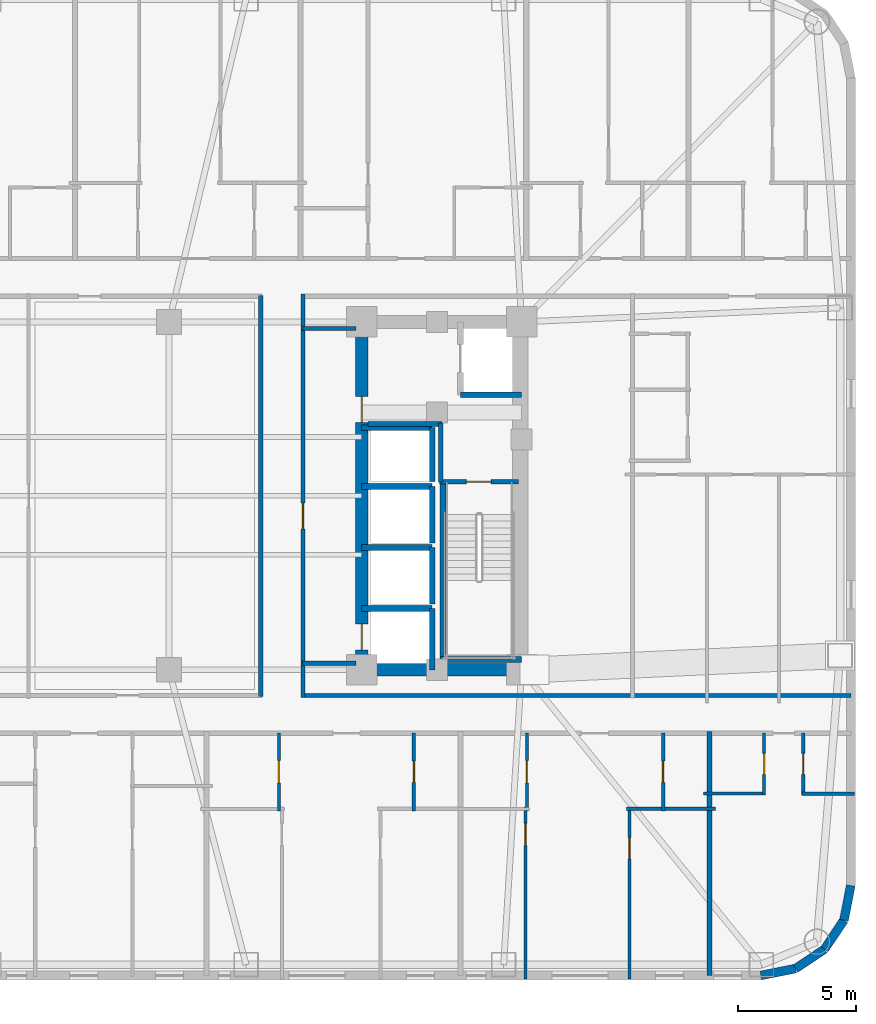
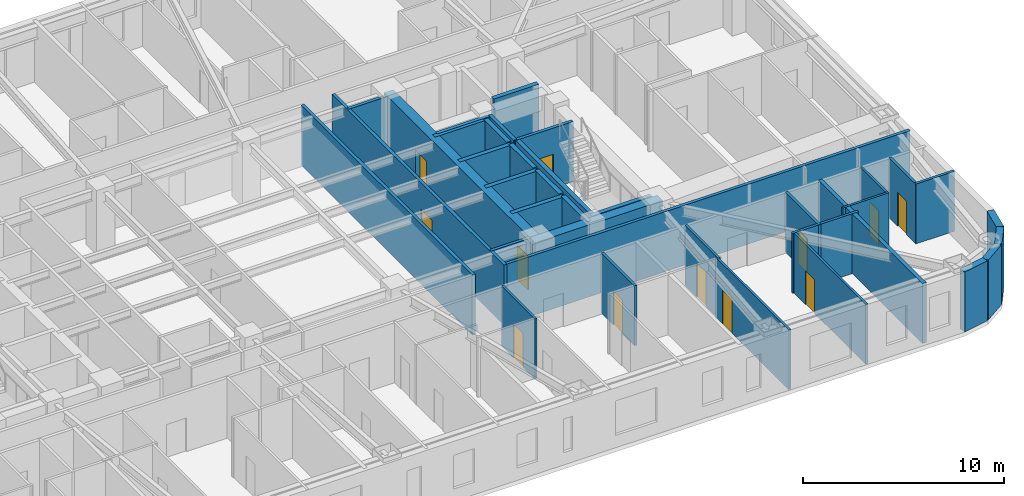
# One storey, part 6 of 12: 37 walls, 12 doors, 12 openings.
"""IFC4 building model written with IfcOpenShell, lengths in metres."""

from ifc_helpers import new_model, si_unit, direction, frame, frame_2d, origin, place, context, subcontext, project, spatial, rectangle, extrude, material, layer, layer_set, type_object, element, fill, save


model = new_model("IFC4")

# Units and contexts
model_context = context("Model", 3, precision=1e-05, world=origin(), true_north=direction((0.0, 1.0)))
body_context = subcontext(model_context, "Body", "Model", "MODEL_VIEW")
ifc_project = project(units=[si_unit("LENGTHUNIT", "METRE"), si_unit("AREAUNIT", "SQUARE_METRE"), si_unit("VOLUMEUNIT", "CUBIC_METRE"), si_unit("PLANEANGLEUNIT", "RADIAN"), si_unit("MASSUNIT", "GRAM", prefix="KILO")], contexts=[model_context])

# Site, building, storey
site_placement = place(None, origin())
site = spatial("IfcSite", under=ifc_project, at=site_placement, CompositionType="ELEMENT")
building_placement = place(site_placement, origin())
building = spatial("IfcBuilding", under=site, at=building_placement, Name="Voryun Gate Residences", CompositionType="ELEMENT")
storey_placement = place(building_placement, frame((0.0, 0.0, 101.39990234375)))
storey = spatial("IfcBuildingStorey", under=building, at=storey_placement, Name="L24", CompositionType="ELEMENT", Elevation=101.39990234375)

# Wall
ifc_material_1 = material(Name="Concrete C60/75", Category="concrete")
ifc_layer_1 = layer(ifc_material_1, 0.550048828125, Name="CW_CORE_550")
ifc_layer_set_1 = layer_set([ifc_layer_1], Name="Concrete C60/75")
wall_type_1 = type_object("IfcWallType", Name="CW_CORE_550", PredefinedType="SHEAR", material=ifc_layer_set_1)
wall_1_placement = place(storey_placement, frame((12.125, -7.39990234375, 0.0), z_axis=(0.0, 0.0, 1.0), x_axis=(1.0, 0.0, 0.0)))
element("IfcWall", 1, at=wall_1_placement, inside=storey, type_object=wall_type_1, Name="L24 Core shear wall CW-L24-ES", PredefinedType="SHEAR", context=body_context, shape_type="SweptSolid", body=[
    extrude(rectangle(XDim=7.35009765625, YDim=0.550048828125, at=frame_2d((3.675048828125, 0.0))), origin(), (0.0, 0.0, 1.0), 3.650146484375),
])

# Wall, openings, doors
wall_2_placement = place(storey_placement, frame((12.39990234375, -7.39990234375, 0.0), z_axis=(0.0, 0.0, 1.0), x_axis=(0.0, 1.0, 0.0)))
wall_2 = element("IfcWall", 2, at=wall_2_placement, inside=storey, type_object=wall_type_1, Name="L24 Core shear wall CW-L24-EW", PredefinedType="SHEAR", context=body_context, shape_type="SweptSolid", body=[
    extrude(rectangle(XDim=14.7998046875, YDim=0.550048828125, at=frame_2d((7.39990234375, 0.0))), origin(), (0.0, 0.0, 1.0), 3.650146484375),
])
opening_1_placement = place(wall_2_placement, frame((0.85009765625, 0.0, 0.0)))
opening_1 = element("IfcOpeningElement", 3, at=opening_1_placement, cuts=wall_2, Name="Opening LD2", PredefinedType="OPENING", context=body_context, shape_type="SweptSolid", body=[
    extrude(rectangle(XDim=1.10009765625, YDim=2.050048828125, at=frame_2d((0.550048828125, 1.02490234375))), frame((0.0, 0.284912109375, 0.0), z_axis=(0.0, -1.0, 0.0), x_axis=(1.0, 0.0, 0.0)), (0.0, 0.0, 1.0), 0.570068359375),
])
opening_2_placement = place(wall_2_placement, frame((10.530029296875, 0.0, 0.0)))
opening_2 = element("IfcOpeningElement", 4, at=opening_2_placement, cuts=wall_2, Name="Opening D-FD60-2", PredefinedType="OPENING", context=body_context, shape_type="SweptSolid", body=[
    extrude(rectangle(XDim=1.10009765625, YDim=2.050048828125, at=frame_2d((0.550048828125, 1.02490234375))), frame((0.0, 0.284912109375, 0.0), z_axis=(0.0, -1.0, 0.0), x_axis=(1.0, 0.0, 0.0)), (0.0, 0.0, 1.0), 0.570068359375),
])
ifc_material_2 = material(Name="Painted steel fire door", Category="steel")
door_type_1 = type_object("IfcDoorType", Name="DR_FD60_FFLOB_1100", OperationType="NOTDEFINED", PredefinedType="DOOR", material=ifc_material_2)
door_1_placement = place(opening_2_placement, origin())
door_1 = element("IfcDoor", 5, at=door_1_placement, inside=storey, type_object=door_type_1, Name="Door DR-L24-CLOB-E", OperationType="SINGLE_SWING_RIGHT", OverallHeight=2.050048828125, OverallWidth=1.10009765625, PredefinedType="DOOR", context=body_context, shape_type="SweptSolid", body=[
    extrude(rectangle(XDim=1.10009765625, YDim=2.050048828125, at=frame_2d((0.550048828125, 1.02490234375))), frame((0.0, 0.02490234375, 0.0), z_axis=(0.0, -1.0, 0.0), x_axis=(1.0, 0.0, 0.0)), (0.0, 0.0, 1.0), 0.050048828125),
])
fill(opening_2, door_1)
ifc_material_3 = material(Name="Anodised aluminium", Category="aluminium")
door_type_2 = type_object("IfcDoorType", Name="DR_LD_PASS_1100", OperationType="NOTDEFINED", PredefinedType="DOOR", material=ifc_material_3)
door_2_placement = place(opening_1_placement, origin())
door_2 = element("IfcDoor", 6, at=door_2_placement, inside=storey, type_object=door_type_2, Name="Lift EL-P3 sliding landing door L24", OperationType="SLIDING_TO_LEFT", OverallHeight=2.050048828125, OverallWidth=1.10009765625, PredefinedType="DOOR", context=body_context, shape_type="SweptSolid", body=[
    extrude(rectangle(XDim=1.10009765625, YDim=2.050048828125, at=frame_2d((0.550048828125, 1.02490234375))), frame((0.0, 0.02490234375, 0.0), z_axis=(0.0, -1.0, 0.0), x_axis=(1.0, 0.0, 0.0)), (0.0, 0.0, 1.0), 0.050048828125),
])
fill(opening_1, door_2)

# Wall, opening, door
ifc_material_4 = material(Name="Gypsum acoustic fireboard")
ifc_layer_2 = layer(ifc_material_4, 0.179931640625, Name="W_CORR_RATED_180")
ifc_layer_set_2 = layer_set([ifc_layer_2], Name="Gypsum acoustic fireboard")
wall_type_2 = type_object("IfcWallType", Name="W_CORR_RATED_180", PredefinedType="PARTITIONING", material=ifc_layer_set_2)
wall_3_placement = place(storey_placement, frame((15.699951171875, 0.60009765625, 0.0), z_axis=(0.0, 0.0, 1.0), x_axis=(1.0, 0.0, 0.0)))
wall_3 = element("IfcWall", 7, at=wall_3_placement, inside=storey, type_object=wall_type_2, Name="Partition wall WP-L24-STV-E", PredefinedType="PARTITIONING", context=body_context, shape_type="SweptSolid", body=[
    extrude(rectangle(XDim=3.360107421875, YDim=0.179931640625, at=frame_2d((1.68017578125, 0.0))), origin(), (0.0, 0.0, 1.0), 3.650146484375),
])
opening_3_placement = place(wall_3_placement, frame((1.155029296875, 0.0, 0.0)))
opening_3 = element("IfcOpeningElement", 8, at=opening_3_placement, cuts=wall_3, Name="Opening D-FD60-1", PredefinedType="OPENING", context=body_context, shape_type="SweptSolid", body=[
    extrude(rectangle(XDim=1.050048828125, YDim=2.050048828125, at=frame_2d((0.52490234375, 1.02490234375))), frame((0.0, 0.099853515625, 0.0), z_axis=(0.0, -1.0, 0.0), x_axis=(1.0, 0.0, 0.0)), (0.0, 0.0, 1.0), 0.199951171875),
])
ifc_material_5 = material(Name="Painted steel fire door", Category="steel")
door_type_3 = type_object("IfcDoorType", Name="DR_FD60_STAIR_1050", OperationType="NOTDEFINED", PredefinedType="DOOR", material=ifc_material_5)
door_3_placement = place(opening_3_placement, origin())
door_3 = element("IfcDoor", 9, at=door_3_placement, inside=storey, type_object=door_type_3, Name="Door DR-L24-ST-E", OperationType="SINGLE_SWING_RIGHT", OverallHeight=2.050048828125, OverallWidth=1.050048828125, PredefinedType="DOOR", context=body_context, shape_type="SweptSolid", body=[
    extrude(rectangle(XDim=1.050048828125, YDim=2.050048828125, at=frame_2d((0.52490234375, 1.02490234375))), frame((0.0, 0.02490234375, 0.0), z_axis=(0.0, -1.0, 0.0), x_axis=(1.0, 0.0, 0.0)), (0.0, 0.0, 1.0), 0.050048828125),
])
fill(opening_3, door_3)

# Walls
for number, where, z_axis, x_axis, name in (
    (10, (9.8798828125, 7.1201171875, 0.0), (0.0, 0.0, 1.0), (1.0, 0.0, 0.0), "Partition wall WP-L24-PLBN-E"),
    (11, (9.8798828125, -7.1201171875, 0.0), (0.0, 0.0, 1.0), (1.0, 0.0, 0.0), "Partition wall WP-L24-PLBS-E"),
):
    element("IfcWall", number, at=place(storey_placement, frame(where, z_axis=z_axis, x_axis=x_axis)), inside=storey, type_object=wall_type_2, Name=name, PredefinedType="PARTITIONING", context=body_context, shape_type="SweptSolid", body=[
        extrude(rectangle(XDim=2.27001953125, YDim=0.179931640625, at=frame_2d((1.135009765625, 0.0))), origin(), (0.0, 0.0, 1.0), 3.650146484375),
    ])

# Wall, opening, door
wall_4_placement = place(storey_placement, frame((9.89990234375, -8.580078125, 0.0), z_axis=(0.0, 0.0, 1.0), x_axis=(0.0, 1.0, 0.0)))
wall_4 = element("IfcWall", 12, at=wall_4_placement, inside=storey, type_object=wall_type_2, Name="Partition wall WP-L24-PLBE-FULL", PredefinedType="PARTITIONING", context=body_context, shape_type="SweptSolid", body=[
    extrude(rectangle(XDim=17.16015625, YDim=0.179931640625, at=frame_2d((8.580078125, 0.0))), origin(), (0.0, 0.0, 1.0), 3.650146484375),
])
opening_4_placement = place(wall_4_placement, frame((7.172119140625, 0.0, 0.0)))
opening_4 = element("IfcOpeningElement", 13, at=opening_4_placement, cuts=wall_4, Name="Opening D-FD60-2", PredefinedType="OPENING", context=body_context, shape_type="SweptSolid", body=[
    extrude(rectangle(XDim=1.10009765625, YDim=2.050048828125, at=frame_2d((0.550048828125, 1.02490234375))), frame((0.0, 0.099853515625, 0.0), z_axis=(0.0, -1.0, 0.0), x_axis=(1.0, 0.0, 0.0)), (0.0, 0.0, 1.0), 0.199951171875),
])
door_4_placement = place(opening_4_placement, origin())
door_4 = element("IfcDoor", 14, at=door_4_placement, inside=storey, type_object=door_type_1, Name="Door DR-L24-PLBE-COR", OperationType="SINGLE_SWING_RIGHT", OverallHeight=2.050048828125, OverallWidth=1.10009765625, PredefinedType="DOOR", context=body_context, shape_type="SweptSolid", body=[
    extrude(rectangle(XDim=1.10009765625, YDim=2.050048828125, at=frame_2d((0.550048828125, 1.02490234375))), frame((0.0, 0.02490234375, 0.0), z_axis=(0.0, -1.0, 0.0), x_axis=(1.0, 0.0, 0.0)), (0.0, 0.0, 1.0), 0.050048828125),
])
fill(opening_4, door_4)

# Walls
wall_5_placement = place(storey_placement, frame((9.8798828125, -8.489990234375, 0.0), z_axis=(0.0, 0.0, 1.0), x_axis=(1.0, 0.0, 0.0)))
element("IfcWall", 15, at=wall_5_placement, inside=storey, type_object=wall_type_2, Name="Partition wall WP-L24-CWING-ES", PredefinedType="PARTITIONING", context=body_context, shape_type="SweptSolid", body=[
    extrude(rectangle(XDim=23.330078125, YDim=0.179931640625, at=frame_2d((11.6650390625, 0.0))), origin(), (0.0, 0.0, 1.0), 3.650146484375),
])
wall_6_placement = place(storey_placement, frame((8.10009765625, -8.530029296875, 0.0), z_axis=(0.0, 0.0, 1.0), x_axis=(0.0, 1.0, 0.0)))
element("IfcWall", 16, at=wall_6_placement, inside=storey, type_object=wall_type_2, Name="Partition wall WP-L24-Z1E", PredefinedType="PARTITIONING", context=body_context, shape_type="SweptSolid", body=[
    extrude(rectangle(XDim=17.06005859375, YDim=0.179931640625, at=frame_2d((8.530029296875, 0.0))), origin(), (0.0, 0.0, 1.0), 3.650146484375),
])
ifc_material_6 = material(Name="Granite masonry", Category="masonry")
ifc_layer_3 = layer(ifc_material_6, 0.3798828125, Name="W_EXT_GRANITE_380")
ifc_layer_set_3 = layer_set([ifc_layer_3], Name="Granite masonry")
wall_type_3 = type_object("IfcWallType", Name="W_EXT_GRANITE_380", PredefinedType="ELEMENTEDWALL", material=ifc_layer_set_3)
wall_7_placement = place(storey_placement, frame((33.2099609375, -16.581298828125, 0.0), z_axis=(0.0, 0.0, 1.0), x_axis=(-0.195086038585, -0.980786132421, 0.0)))
element("IfcWall", 17, at=wall_7_placement, inside=storey, type_object=wall_type_3, Name="Exterior wall WEXT-L24-17", PredefinedType="ELEMENTEDWALL", context=body_context, shape_type="SweptSolid", body=[
    extrude(rectangle(XDim=1.504150390625, YDim=0.3798828125, at=frame_2d((0.751953125, 0.0))), origin(), (0.0, 0.0, 1.0), 3.650146484375),
])
wall_8_placement = place(storey_placement, frame((32.91650390625, -18.056640625, 0.0), z_axis=(0.0, 0.0, 1.0), x_axis=(-0.555610286119, -0.831442848281, 0.0)))
element("IfcWall", 18, at=wall_8_placement, inside=storey, type_object=wall_type_3, Name="Exterior wall WEXT-L24-18", PredefinedType="ELEMENTEDWALL", context=body_context, shape_type="SweptSolid", body=[
    extrude(rectangle(XDim=1.485107421875, YDim=0.3798828125, at=frame_2d((0.74267578125, 0.0))), origin(), (0.0, 0.0, 1.0), 3.650146484375),
])
wall_9_placement = place(storey_placement, frame((32.09130859375, -19.29150390625, 0.0), z_axis=(0.0, 0.0, 1.0), x_axis=(-0.831468045563, -0.555572577804, 0.0)))
element("IfcWall", 19, at=wall_9_placement, inside=storey, type_object=wall_type_3, Name="Exterior wall WEXT-L24-19", PredefinedType="ELEMENTEDWALL", context=body_context, shape_type="SweptSolid", body=[
    extrude(rectangle(XDim=1.48486328125, YDim=0.3798828125, at=frame_2d((0.742431640625, 0.0))), origin(), (0.0, 0.0, 1.0), 3.650146484375),
])
wall_10_placement = place(storey_placement, frame((30.856689453125, -20.116455078125, 0.0), z_axis=(0.0, 0.0, 1.0), x_axis=(-0.980786132421, -0.195086038585, 0.0)))
element("IfcWall", 20, at=wall_10_placement, inside=storey, type_object=wall_type_3, Name="Exterior wall WEXT-L24-20", PredefinedType="ELEMENTEDWALL", context=body_context, shape_type="SweptSolid", body=[
    extrude(rectangle(XDim=1.504150390625, YDim=0.3798828125, at=frame_2d((0.751953125, 0.0))), origin(), (0.0, 0.0, 1.0), 3.650146484375),
])
ifc_material_7 = material(Name="Concrete C40/50", Category="concrete")
ifc_layer_4 = layer(ifc_material_7, 0.199951171875, Name="W_FF_LOBBY_200")
ifc_layer_set_4 = layer_set([ifc_layer_4], Name="Concrete C40/50")
wall_type_4 = type_object("IfcWallType", Name="W_FF_LOBBY_200", PredefinedType="PARTITIONING", material=ifc_layer_set_4)
wall_11_placement = place(storey_placement, frame((15.760009765625, 0.580078125, 0.0), z_axis=(0.0, 0.0, 1.0), x_axis=(0.0, 1.0, 0.0)))
element("IfcWall", 21, at=wall_11_placement, inside=storey, type_object=wall_type_4, Name="Partition wall WP-L24-FFP0-E", PredefinedType="PARTITIONING", context=body_context, shape_type="SweptSolid", body=[
    extrude(rectangle(XDim=2.52001953125, YDim=0.199951171875, at=frame_2d((1.260009765625, 0.0))), origin(), (0.0, 0.0, 1.0), 3.650146484375),
])
wall_12_placement = place(storey_placement, frame((12.659912109375, 3.06005859375, 0.0), z_axis=(0.0, 0.0, 1.0), x_axis=(1.0, 0.0, 0.0)))
element("IfcWall", 22, at=wall_12_placement, inside=storey, type_object=wall_type_4, Name="Partition wall WP-L24-FFPS-E", PredefinedType="PARTITIONING", context=body_context, shape_type="SweptSolid", body=[
    extrude(rectangle(XDim=3.16015625, YDim=0.199951171875, at=frame_2d((1.580078125, 0.0))), origin(), (0.0, 0.0, 1.0), 3.650146484375),
])
ifc_material_8 = material(Name="Concrete C40/50", Category="concrete")
ifc_layer_5 = layer(ifc_material_8, 0.219970703125, Name="W_PARTY_ACOUSTIC_220")
ifc_layer_set_5 = layer_set([ifc_layer_5], Name="Concrete C40/50")
wall_type_5 = type_object("IfcWallType", Name="W_PARTY_ACOUSTIC_220", PredefinedType="PARTITIONING", material=ifc_layer_set_5)
wall_13_placement = place(storey_placement, frame((27.199951171875, -20.409912109375, 0.0), z_axis=(0.0, 0.0, 1.0), x_axis=(0.0, 1.0, 0.0)))
element("IfcWall", 23, at=wall_13_placement, inside=storey, type_object=wall_type_5, Name="Partition wall WP-L24-SPTY-6", PredefinedType="PARTITIONING", context=body_context, shape_type="SweptSolid", body=[
    extrude(rectangle(XDim=10.389892578125, YDim=0.219970703125, at=frame_2d((5.19482421875, 0.0))), origin(), (0.0, 0.0, 1.0), 3.650146484375),
])
ifc_material_9 = material(Name="Concrete C50/60", Category="concrete")
ifc_layer_6 = layer(ifc_material_9, 0.25, Name="W_SHAFT_RC250")
ifc_layer_set_6 = layer_set([ifc_layer_6], Name="Concrete C50/60")
wall_type_6 = type_object("IfcWallType", Name="W_SHAFT_RC250", PredefinedType="SOLIDWALL", material=ifc_layer_set_6)
wall_14_placement = place(storey_placement, frame((15.860107421875, -7.0849609375, 0.0), z_axis=(0.0, 0.0, 1.0), x_axis=(0.0, 1.0, 0.0)))
element("IfcWall", 24, at=wall_14_placement, inside=storey, type_object=wall_type_6, Name="L24 Stair shaft structural wall E-STL", PredefinedType="SOLIDWALL", context=body_context, shape_type="SweptSolid", body=[
    extrude(rectangle(XDim=7.68505859375, YDim=0.25, at=frame_2d((3.842529296875, 0.0))), origin(), (0.0, 0.0, 1.0), 3.650146484375),
])
wall_15_placement = place(storey_placement, frame((15.739990234375, -6.965087890625, 0.0), z_axis=(0.0, 0.0, 1.0), x_axis=(1.0, 0.0, 0.0)))
element("IfcWall", 25, at=wall_15_placement, inside=storey, type_object=wall_type_6, Name="L24 Stair shaft structural wall E-STS", PredefinedType="SOLIDWALL", context=body_context, shape_type="SweptSolid", body=[
    extrude(rectangle(XDim=3.4599609375, YDim=0.25, at=frame_2d((1.72998046875, 0.0))), origin(), (0.0, 0.0, 1.0), 3.650146484375),
])
for number, where, z_axis, x_axis, name in (
    (26, (16.60009765625, 4.300048828125, 0.0), (0.0, 0.0, 1.0), (1.0, 0.0, 0.0), "Lift shaft wall WSH-L24-EL-FF-E1-S"),
    (27, (15.39990234375, -7.39990234375, 0.0), (0.0, 0.0, 1.0), (0.0, 1.0, 0.0), "Lift shaft wall WSH-L24-EL-P3-E"),
):
    element("IfcWall", number, at=place(storey_placement, frame(where, z_axis=z_axis, x_axis=x_axis)), inside=storey, type_object=wall_type_6, Name=name, PredefinedType="SOLIDWALL", context=body_context, shape_type="SweptSolid", body=[
        extrude(rectangle(XDim=2.599853515625, YDim=0.25, at=frame_2d((1.2998046875, 0.0))), origin(), (0.0, 0.0, 1.0), 3.650146484375),
    ])
wall_16_placement = place(storey_placement, frame((15.39990234375, -4.800048828125, 0.0), z_axis=(0.0, 0.0, 1.0), x_axis=(-1.0, 0.0, 0.0)))
element("IfcWall", 28, at=wall_16_placement, inside=storey, type_object=wall_type_6, Name="Lift shaft wall WSH-L24-EL-P3-N", PredefinedType="SOLIDWALL", context=body_context, shape_type="SweptSolid", body=[
    extrude(rectangle(XDim=3.0, YDim=0.25, at=frame_2d((1.5, 0.0))), origin(), (0.0, 0.0, 1.0), 3.650146484375),
])
wall_17_placement = place(storey_placement, frame((15.39990234375, -4.60009765625, 0.0), z_axis=(0.0, 0.0, 1.0), x_axis=(0.0, 1.0, 0.0)))
element("IfcWall", 29, at=wall_17_placement, inside=storey, type_object=wall_type_6, Name="Lift shaft wall WSH-L24-EL-P5-E", PredefinedType="SOLIDWALL", context=body_context, shape_type="SweptSolid", body=[
    extrude(rectangle(XDim=2.400146484375, YDim=0.25, at=frame_2d((1.2001953125, 0.0))), origin(), (0.0, 0.0, 1.0), 3.650146484375),
])
wall_18_placement = place(storey_placement, frame((15.39990234375, -2.199951171875, 0.0), z_axis=(0.0, 0.0, 1.0), x_axis=(-1.0, 0.0, 0.0)))
element("IfcWall", 30, at=wall_18_placement, inside=storey, type_object=wall_type_6, Name="Lift shaft wall WSH-L24-EL-P5-N", PredefinedType="SOLIDWALL", context=body_context, shape_type="SweptSolid", body=[
    extrude(rectangle(XDim=3.0, YDim=0.25, at=frame_2d((1.5, 0.0))), origin(), (0.0, 0.0, 1.0), 3.650146484375),
])
wall_19_placement = place(storey_placement, frame((15.39990234375, -2.0, 0.0), z_axis=(0.0, 0.0, 1.0), x_axis=(0.0, 1.0, 0.0)))
element("IfcWall", 31, at=wall_19_placement, inside=storey, type_object=wall_type_6, Name="Lift shaft wall WSH-L24-EL-P6-E", PredefinedType="SOLIDWALL", context=body_context, shape_type="SweptSolid", body=[
    extrude(rectangle(XDim=2.39990234375, YDim=0.25, at=frame_2d((1.199951171875, 0.0))), origin(), (0.0, 0.0, 1.0), 3.650146484375),
])
wall_20_placement = place(storey_placement, frame((15.39990234375, 0.39990234375, 0.0), z_axis=(0.0, 0.0, 1.0), x_axis=(-1.0, 0.0, 0.0)))
element("IfcWall", 32, at=wall_20_placement, inside=storey, type_object=wall_type_6, Name="Lift shaft wall WSH-L24-EL-P6-N", PredefinedType="SOLIDWALL", context=body_context, shape_type="SweptSolid", body=[
    extrude(rectangle(XDim=3.0, YDim=0.25, at=frame_2d((1.5, 0.0))), origin(), (0.0, 0.0, 1.0), 3.650146484375),
])
wall_21_placement = place(storey_placement, frame((15.39990234375, 0.60009765625, 0.0), z_axis=(0.0, 0.0, 1.0), x_axis=(0.0, 1.0, 0.0)))
element("IfcWall", 33, at=wall_21_placement, inside=storey, type_object=wall_type_6, Name="Lift shaft wall WSH-L24-EL-P8-E", PredefinedType="SOLIDWALL", context=body_context, shape_type="SweptSolid", body=[
    extrude(rectangle(XDim=2.2998046875, YDim=0.25, at=frame_2d((1.14990234375, 0.0))), origin(), (0.0, 0.0, 1.0), 3.650146484375),
])
wall_22_placement = place(storey_placement, frame((15.39990234375, 2.89990234375, 0.0), z_axis=(0.0, 0.0, 1.0), x_axis=(-1.0, 0.0, 0.0)))
element("IfcWall", 34, at=wall_22_placement, inside=storey, type_object=wall_type_6, Name="Lift shaft wall WSH-L24-EL-P8-N", PredefinedType="SOLIDWALL", context=body_context, shape_type="SweptSolid", body=[
    extrude(rectangle(XDim=3.0, YDim=0.25, at=frame_2d((1.5, 0.0))), origin(), (0.0, 0.0, 1.0), 3.650146484375),
])

# Wall, opening, door
ifc_material_10 = material(Name="Gypsum acoustic partition")
ifc_layer_7 = layer(ifc_material_10, 0.125, Name="W_UNIT_PART_125")
ifc_layer_set_7 = layer_set([ifc_layer_7], Name="Gypsum acoustic partition")
wall_type_7 = type_object("IfcWallType", Name="W_UNIT_PART_125", PredefinedType="PARTITIONING", material=ifc_layer_set_7)
wall_23_placement = place(storey_placement, frame((8.8720703125, -13.39990234375, 0.0), z_axis=(0.0, 0.0, 1.0), x_axis=(0.0, 1.0, 0.0)))
wall_23 = element("IfcWall", 35, at=wall_23_placement, inside=storey, type_object=wall_type_7, Name="Partition wall WP-L24-S5-IVK", PredefinedType="PARTITIONING", context=body_context, shape_type="SweptSolid", body=[
    extrude(rectangle(XDim=3.31982421875, YDim=0.125, at=frame_2d((1.659912109375, 0.0))), origin(), (0.0, 0.0, 1.0), 3.650146484375),
])
opening_5_placement = place(wall_23_placement, frame((1.18505859375, 0.0, 0.0)))
opening_5 = element("IfcOpeningElement", 36, at=opening_5_placement, cuts=wall_23, Name="Opening D-INT-1", PredefinedType="OPENING", context=body_context, shape_type="SweptSolid", body=[
    extrude(rectangle(XDim=0.949951171875, YDim=2.050048828125, at=frame_2d((0.47509765625, 1.02490234375))), frame((0.0, 0.072509765625, 0.0), z_axis=(0.0, -1.0, 0.0), x_axis=(1.0, 0.0, 0.0)), (0.0, 0.0, 1.0), 0.14501953125),
])
ifc_material_11 = material(Name="Architectural oak veneer")
door_type_4 = type_object("IfcDoorType", Name="DR_INT_ROOM_950", OperationType="NOTDEFINED", PredefinedType="DOOR", material=ifc_material_11)
door_5_placement = place(opening_5_placement, origin())
door_5 = element("IfcDoor", 37, at=door_5_placement, inside=storey, type_object=door_type_4, Name="Door DR-L24-S5-DK", OperationType="SINGLE_SWING_LEFT", OverallHeight=2.050048828125, OverallWidth=0.949951171875, PredefinedType="DOOR", context=body_context, shape_type="SweptSolid", body=[
    extrude(rectangle(XDim=0.949951171875, YDim=2.050048828125, at=frame_2d((0.47509765625, 1.02490234375))), frame((0.0, 0.02490234375, 0.0), z_axis=(0.0, -1.0, 0.0), x_axis=(1.0, 0.0, 0.0)), (0.0, 0.0, 1.0), 0.050048828125),
])
fill(opening_5, door_5)

wall_24_placement = place(storey_placement, frame((19.364013671875, -20.56005859375, 0.0), z_axis=(0.0, 0.0, 1.0), x_axis=(0.0, 1.0, 0.0)))
wall_24 = element("IfcWall", 38, at=wall_24_placement, inside=storey, type_object=wall_type_7, Name="Partition wall WP-L24-S6-OVL", PredefinedType="PARTITIONING", context=body_context, shape_type="SweptSolid", body=[
    extrude(rectangle(XDim=7.320068359375, YDim=0.125, at=frame_2d((3.66015625, 0.0))), origin(), (0.0, 0.0, 1.0), 3.650146484375),
])
opening_6_placement = place(wall_24_placement, frame((5.673828125, 0.0, 0.0)))
opening_6 = element("IfcOpeningElement", 39, at=opening_6_placement, cuts=wall_24, Name="Opening D-INT-1", PredefinedType="OPENING", context=body_context, shape_type="SweptSolid", body=[
    extrude(rectangle(XDim=0.949951171875, YDim=2.050048828125, at=frame_2d((0.47509765625, 1.02490234375))), frame((0.0, 0.072509765625, 0.0), z_axis=(0.0, -1.0, 0.0), x_axis=(1.0, 0.0, 0.0)), (0.0, 0.0, 1.0), 0.14501953125),
])
door_6_placement = place(opening_6_placement, origin())
door_6 = element("IfcDoor", 40, at=door_6_placement, inside=storey, type_object=door_type_4, Name="Door DR-L24-S6-DB2", OperationType="SINGLE_SWING_LEFT", OverallHeight=2.050048828125, OverallWidth=0.949951171875, PredefinedType="DOOR", context=body_context, shape_type="SweptSolid", body=[
    extrude(rectangle(XDim=0.949951171875, YDim=2.050048828125, at=frame_2d((0.47509765625, 1.02490234375))), frame((0.0, 0.02490234375, 0.0), z_axis=(0.0, -1.0, 0.0), x_axis=(1.0, 0.0, 0.0)), (0.0, 0.0, 1.0), 0.050048828125),
])
fill(opening_6, door_6)

wall_25_placement = place(storey_placement, frame((23.7900390625, -20.56005859375, 0.0), z_axis=(0.0, 0.0, 1.0), x_axis=(0.0, 1.0, 0.0)))
wall_25 = element("IfcWall", 41, at=wall_25_placement, inside=storey, type_object=wall_type_7, Name="Partition wall WP-L24-S6-OVR", PredefinedType="PARTITIONING", context=body_context, shape_type="SweptSolid", body=[
    extrude(rectangle(XDim=7.320068359375, YDim=0.125, at=frame_2d((3.66015625, 0.0))), origin(), (0.0, 0.0, 1.0), 3.650146484375),
])
opening_7_placement = place(wall_25_placement, frame((5.11328125, 0.0, 0.0)))
opening_7 = element("IfcOpeningElement", 42, at=opening_7_placement, cuts=wall_25, Name="Opening D-INT-2", PredefinedType="OPENING", context=body_context, shape_type="SweptSolid", body=[
    extrude(rectangle(XDim=0.89990234375, YDim=2.050048828125, at=frame_2d((0.449951171875, 1.02490234375))), frame((0.0, 0.072509765625, 0.0), z_axis=(0.0, -1.0, 0.0), x_axis=(1.0, 0.0, 0.0)), (0.0, 0.0, 1.0), 0.14501953125),
])
ifc_material_12 = material(Name="Architectural oak veneer")
door_type_5 = type_object("IfcDoorType", Name="DR_INT_BATH_900", OperationType="NOTDEFINED", PredefinedType="DOOR", material=ifc_material_12)
door_7_placement = place(opening_7_placement, origin())
door_7 = element("IfcDoor", 43, at=door_7_placement, inside=storey, type_object=door_type_5, Name="Door DR-L24-S6-DMB", OperationType="SINGLE_SWING_RIGHT", OverallHeight=2.050048828125, OverallWidth=0.89990234375, PredefinedType="DOOR", context=body_context, shape_type="SweptSolid", body=[
    extrude(rectangle(XDim=0.89990234375, YDim=2.050048828125, at=frame_2d((0.449951171875, 1.02490234375))), frame((0.0, 0.02490234375, 0.0), z_axis=(0.0, -1.0, 0.0), x_axis=(1.0, 0.0, 0.0)), (0.0, 0.0, 1.0), 0.050048828125),
])
fill(opening_7, door_7)

wall_26_placement = place(storey_placement, frame((19.427001953125, -13.39990234375, 0.0), z_axis=(0.0, 0.0, 1.0), x_axis=(0.0, 1.0, 0.0)))
wall_26 = element("IfcWall", 44, at=wall_26_placement, inside=storey, type_object=wall_type_7, Name="Partition wall WP-L24-S6-IVK", PredefinedType="PARTITIONING", context=body_context, shape_type="SweptSolid", body=[
    extrude(rectangle(XDim=3.31982421875, YDim=0.125, at=frame_2d((1.659912109375, 0.0))), origin(), (0.0, 0.0, 1.0), 3.650146484375),
])
opening_8_placement = place(wall_26_placement, frame((1.18505859375, 0.0, 0.0)))
opening_8 = element("IfcOpeningElement", 45, at=opening_8_placement, cuts=wall_26, Name="Opening D-INT-1", PredefinedType="OPENING", context=body_context, shape_type="SweptSolid", body=[
    extrude(rectangle(XDim=0.949951171875, YDim=2.050048828125, at=frame_2d((0.47509765625, 1.02490234375))), frame((0.0, 0.072509765625, 0.0), z_axis=(0.0, -1.0, 0.0), x_axis=(1.0, 0.0, 0.0)), (0.0, 0.0, 1.0), 0.14501953125),
])
door_8_placement = place(opening_8_placement, origin())
door_8 = element("IfcDoor", 46, at=door_8_placement, inside=storey, type_object=door_type_4, Name="Door DR-L24-S6-DK", OperationType="SINGLE_SWING_LEFT", OverallHeight=2.050048828125, OverallWidth=0.949951171875, PredefinedType="DOOR", context=body_context, shape_type="SweptSolid", body=[
    extrude(rectangle(XDim=0.949951171875, YDim=2.050048828125, at=frame_2d((0.47509765625, 1.02490234375))), frame((0.0, 0.02490234375, 0.0), z_axis=(0.0, -1.0, 0.0), x_axis=(1.0, 0.0, 0.0)), (0.0, 0.0, 1.0), 0.050048828125),
])
fill(opening_8, door_8)

wall_27_placement = place(storey_placement, frame((29.52392578125, -12.72998046875, 0.0), z_axis=(0.0, 0.0, 1.0), x_axis=(0.0, 1.0, 0.0)))
wall_27 = element("IfcWall", 47, at=wall_27_placement, inside=storey, type_object=wall_type_7, Name="Partition wall WP-L24-S7-CVK", PredefinedType="PARTITIONING", context=body_context, shape_type="SweptSolid", body=[
    extrude(rectangle(XDim=2.64990234375, YDim=0.125, at=frame_2d((1.324951171875, 0.0))), origin(), (0.0, 0.0, 1.0), 3.650146484375),
])
opening_9_placement = place(wall_27_placement, frame((0.875, 0.0, 0.0)))
opening_9 = element("IfcOpeningElement", 48, at=opening_9_placement, cuts=wall_27, Name="Opening D-INT-2", PredefinedType="OPENING", context=body_context, shape_type="SweptSolid", body=[
    extrude(rectangle(XDim=0.89990234375, YDim=2.050048828125, at=frame_2d((0.449951171875, 1.02490234375))), frame((0.0, 0.072509765625, 0.0), z_axis=(0.0, -1.0, 0.0), x_axis=(1.0, 0.0, 0.0)), (0.0, 0.0, 1.0), 0.14501953125),
])
door_9_placement = place(opening_9_placement, origin())
door_9 = element("IfcDoor", 49, at=door_9_placement, inside=storey, type_object=door_type_5, Name="Door DR-L24-S7-DK", OperationType="SINGLE_SWING_LEFT", OverallHeight=2.050048828125, OverallWidth=0.89990234375, PredefinedType="DOOR", context=body_context, shape_type="SweptSolid", body=[
    extrude(rectangle(XDim=0.89990234375, YDim=2.050048828125, at=frame_2d((0.449951171875, 1.02490234375))), frame((0.0, 0.02490234375, 0.0), z_axis=(0.0, -1.0, 0.0), x_axis=(1.0, 0.0, 0.0)), (0.0, 0.0, 1.0), 0.050048828125),
])
fill(opening_9, door_9)

# Wall
wall_28_placement = place(storey_placement, frame((26.93994140625, -12.669921875, 0.0), z_axis=(0.0, 0.0, 1.0), x_axis=(1.0, 0.0, 0.0)))
element("IfcWall", 50, at=wall_28_placement, inside=storey, type_object=wall_type_7, Name="Partition wall WP-L24-S7-CHK", PredefinedType="PARTITIONING", context=body_context, shape_type="SweptSolid", body=[
    extrude(rectangle(XDim=2.64404296875, YDim=0.125, at=frame_2d((1.322021484375, 0.0))), origin(), (0.0, 0.0, 1.0), 3.650146484375),
])

# Wall, opening, door
ifc_material_13 = material(Name="Gypsum moisture-resistant partition")
ifc_layer_8 = layer(ifc_material_13, 0.14990234375, Name="W_WET_PLUMB_150")
ifc_layer_set_8 = layer_set([ifc_layer_8], Name="Gypsum moisture-resistant partition")
wall_type_8 = type_object("IfcWallType", Name="W_WET_PLUMB_150", PredefinedType="PLUMBINGWALL", material=ifc_layer_set_8)
wall_29_placement = place(storey_placement, frame((14.6201171875, -13.39990234375, 0.0), z_axis=(0.0, 0.0, 1.0), x_axis=(0.0, 1.0, 0.0)))
wall_29 = element("IfcWall", 51, at=wall_29_placement, inside=storey, type_object=wall_type_8, Name="Partition wall WP-L24-S5-IVB", PredefinedType="PLUMBINGWALL", context=body_context, shape_type="SweptSolid", body=[
    extrude(rectangle(XDim=3.31982421875, YDim=0.14990234375, at=frame_2d((1.659912109375, 0.0))), origin(), (0.0, 0.0, 1.0), 3.650146484375),
])
opening_10_placement = place(wall_29_placement, frame((1.2099609375, 0.0, 0.0)))
opening_10 = element("IfcOpeningElement", 52, at=opening_10_placement, cuts=wall_29, Name="Opening D-INT-2", PredefinedType="OPENING", context=body_context, shape_type="SweptSolid", body=[
    extrude(rectangle(XDim=0.89990234375, YDim=2.050048828125, at=frame_2d((0.449951171875, 1.02490234375))), frame((0.0, 0.0849609375, 0.0), z_axis=(0.0, -1.0, 0.0), x_axis=(1.0, 0.0, 0.0)), (0.0, 0.0, 1.0), 0.169921875),
])
door_10_placement = place(opening_10_placement, origin())
door_10 = element("IfcDoor", 53, at=door_10_placement, inside=storey, type_object=door_type_5, Name="Door DR-L24-S5-DB", OperationType="SINGLE_SWING_RIGHT", OverallHeight=2.050048828125, OverallWidth=0.89990234375, PredefinedType="DOOR", context=body_context, shape_type="SweptSolid", body=[
    extrude(rectangle(XDim=0.89990234375, YDim=2.050048828125, at=frame_2d((0.449951171875, 1.02490234375))), frame((0.0, 0.02490234375, 0.0), z_axis=(0.0, -1.0, 0.0), x_axis=(1.0, 0.0, 0.0)), (0.0, 0.0, 1.0), 0.050048828125),
])
fill(opening_10, door_10)

# Wall
wall_30_placement = place(storey_placement, frame((23.669921875, -13.320068359375, 0.0), z_axis=(0.0, 0.0, 1.0), x_axis=(1.0, 0.0, 0.0)))
element("IfcWall", 54, at=wall_30_placement, inside=storey, type_object=wall_type_8, Name="Partition wall WP-L24-S6-HZB", PredefinedType="PLUMBINGWALL", context=body_context, shape_type="SweptSolid", body=[
    extrude(rectangle(XDim=3.7900390625, YDim=0.14990234375, at=frame_2d((1.89501953125, 0.0))), origin(), (0.0, 0.0, 1.0), 3.650146484375),
])

# Wall, opening, door
wall_31_placement = place(storey_placement, frame((25.219970703125, -13.39990234375, 0.0), z_axis=(0.0, 0.0, 1.0), x_axis=(0.0, 1.0, 0.0)))
wall_31 = element("IfcWall", 55, at=wall_31_placement, inside=storey, type_object=wall_type_8, Name="Partition wall WP-L24-S6-IVB", PredefinedType="PLUMBINGWALL", context=body_context, shape_type="SweptSolid", body=[
    extrude(rectangle(XDim=3.31982421875, YDim=0.14990234375, at=frame_2d((1.659912109375, 0.0))), origin(), (0.0, 0.0, 1.0), 3.650146484375),
])
opening_11_placement = place(wall_31_placement, frame((1.2099609375, 0.0, 0.0)))
opening_11 = element("IfcOpeningElement", 56, at=opening_11_placement, cuts=wall_31, Name="Opening D-INT-2", PredefinedType="OPENING", context=body_context, shape_type="SweptSolid", body=[
    extrude(rectangle(XDim=0.89990234375, YDim=2.050048828125, at=frame_2d((0.449951171875, 1.02490234375))), frame((0.0, 0.0849609375, 0.0), z_axis=(0.0, -1.0, 0.0), x_axis=(1.0, 0.0, 0.0)), (0.0, 0.0, 1.0), 0.169921875),
])
door_11_placement = place(opening_11_placement, origin())
door_11 = element("IfcDoor", 57, at=door_11_placement, inside=storey, type_object=door_type_5, Name="Door DR-L24-S6-DB", OperationType="SINGLE_SWING_RIGHT", OverallHeight=2.050048828125, OverallWidth=0.89990234375, PredefinedType="DOOR", context=body_context, shape_type="SweptSolid", body=[
    extrude(rectangle(XDim=0.89990234375, YDim=2.050048828125, at=frame_2d((0.449951171875, 1.02490234375))), frame((0.0, 0.02490234375, 0.0), z_axis=(0.0, -1.0, 0.0), x_axis=(1.0, 0.0, 0.0)), (0.0, 0.0, 1.0), 0.050048828125),
])
fill(opening_11, door_11)

wall_32_placement = place(storey_placement, frame((31.19189453125, -12.72998046875, 0.0), z_axis=(0.0, 0.0, 1.0), x_axis=(0.0, 1.0, 0.0)))
wall_32 = element("IfcWall", 58, at=wall_32_placement, inside=storey, type_object=wall_type_8, Name="Partition wall WP-L24-S7-CVB", PredefinedType="PLUMBINGWALL", context=body_context, shape_type="SweptSolid", body=[
    extrude(rectangle(XDim=2.64990234375, YDim=0.14990234375, at=frame_2d((1.324951171875, 0.0))), origin(), (0.0, 0.0, 1.0), 3.650146484375),
])
opening_12_placement = place(wall_32_placement, frame((0.875, 0.0, 0.0)))
opening_12 = element("IfcOpeningElement", 59, at=opening_12_placement, cuts=wall_32, Name="Opening D-INT-2", PredefinedType="OPENING", context=body_context, shape_type="SweptSolid", body=[
    extrude(rectangle(XDim=0.89990234375, YDim=2.050048828125, at=frame_2d((0.449951171875, 1.02490234375))), frame((0.0, 0.0849609375, 0.0), z_axis=(0.0, -1.0, 0.0), x_axis=(1.0, 0.0, 0.0)), (0.0, 0.0, 1.0), 0.169921875),
])
door_12_placement = place(opening_12_placement, origin())
door_12 = element("IfcDoor", 60, at=door_12_placement, inside=storey, type_object=door_type_5, Name="Door DR-L24-S7-DB", OperationType="SINGLE_SWING_RIGHT", OverallHeight=2.050048828125, OverallWidth=0.89990234375, PredefinedType="DOOR", context=body_context, shape_type="SweptSolid", body=[
    extrude(rectangle(XDim=0.89990234375, YDim=2.050048828125, at=frame_2d((0.449951171875, 1.02490234375))), frame((0.0, 0.02490234375, 0.0), z_axis=(0.0, -1.0, 0.0), x_axis=(1.0, 0.0, 0.0)), (0.0, 0.0, 1.0), 0.050048828125),
])
fill(opening_12, door_12)

# Wall
wall_33_placement = place(storey_placement, frame((31.132080078125, -12.669921875, 0.0), z_axis=(0.0, 0.0, 1.0), x_axis=(1.0, 0.0, 0.0)))
element("IfcWall", 61, at=wall_33_placement, inside=storey, type_object=wall_type_8, Name="Partition wall WP-L24-S7-CHB", PredefinedType="PLUMBINGWALL", context=body_context, shape_type="SweptSolid", body=[
    extrude(rectangle(XDim=2.22802734375, YDim=0.14990234375, at=frame_2d((1.114013671875, 0.0))), origin(), (0.0, 0.0, 1.0), 3.650146484375),
])

save(model, "model.ifc")
